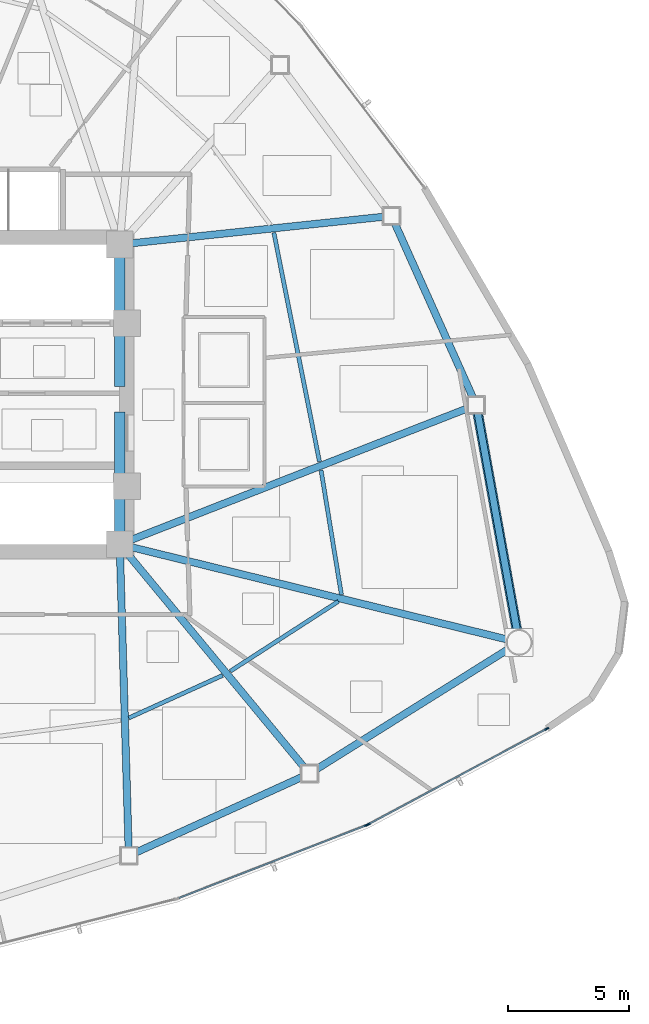
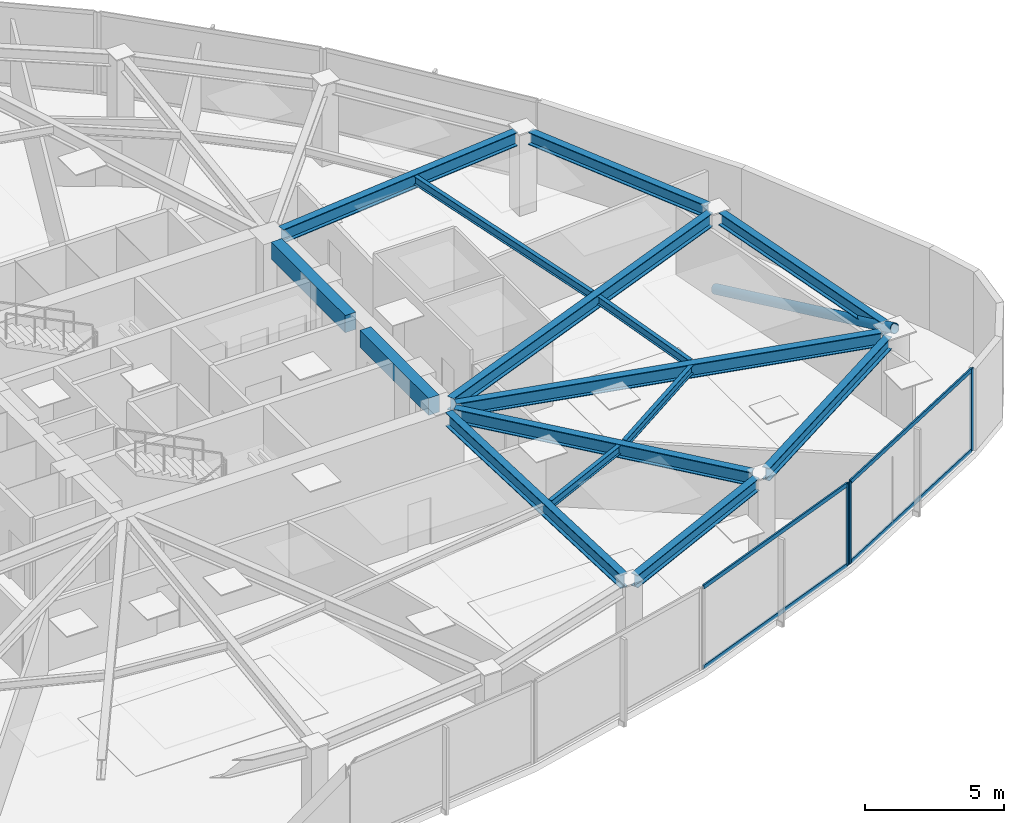
# One storey, part 6 of 17: 15 beams, 8 members, 2 elements without a shape of their own.
"""IFC4 building model written with IfcOpenShell, lengths in metres."""

import ifcopenshell
import ifcopenshell.guid

model = None  # the IFC model being written
_history = None  # IfcOwnerHistory: only IFC2X3 demands one
_inside = {}  # id of a spatial element -> (the spatial element, [elements in it])
_under = {}  # id of a project, library or spatial element -> (it, [spatial elements below it])
_declared = {}  # id of a project -> (the project, [libraries it declares])
_typed = {}  # id of a type object -> (the type object, [elements of that type])
_made_of = {}  # id of a material, layer set ... -> (it, [elements and type objects made of it])


def new_model(schema):
    """Start an empty IFC model of exactly this schema.

    Asked for "IFC4X3", IfcOpenShell would pick the latest addendum, in which some entities
    have other attributes; the version numbers below select the first issue.
    IFC2X3 requires an IfcOwnerHistory on every rooted entity: one is made here for all.
    """
    global model, _history
    if schema == "IFC4X3":
        model = ifcopenshell.file(schema_version=(4, 3, 0, 0))
    else:
        model = ifcopenshell.file(schema=schema)
    _inside.clear()
    _under.clear()
    _declared.clear()
    _typed.clear()
    _made_of.clear()
    _history = None
    if model.schema == "IFC2X3":
        org = make("IfcOrganization", Name="unknown")
        user = make(
            "IfcPersonAndOrganization",
            ThePerson=make("IfcPerson", FamilyName="unknown"),
            TheOrganization=org,
        )
        app = make(
            "IfcApplication",
            ApplicationDeveloper=org,
            Version="unknown",
            ApplicationFullName="unknown",
            ApplicationIdentifier="unknown",
        )
        _history = make(
            "IfcOwnerHistory",
            OwningUser=user,
            OwningApplication=app,
            ChangeAction="ADDED",
            CreationDate=0,
        )
    return model


def make(cls, **values):
    """One entity of the class cls with the attributes given. An attribute that is None is left unset."""
    return model.create_entity(
        cls, **{name: value for name, value in values.items() if value is not None}
    )


def rooted(cls, **values):
    """An entity with a GlobalId (a new one), such as an element, a storey or a relation."""
    return make(cls, GlobalId=ifcopenshell.guid.new(), OwnerHistory=_history, **values)


def si_unit(unit_type, name, prefix=None):
    """IfcSIUnit, for example si_unit("LENGTHUNIT", "METRE", prefix="MILLI")."""
    return make("IfcSIUnit", UnitType=unit_type, Prefix=prefix, Name=name)


def assignment(units):
    """IfcUnitAssignment: the units of a project."""
    return None if units is None else make("IfcUnitAssignment", Units=units)


def point(xyz):
    """IfcCartesianPoint."""
    return None if xyz is None else make("IfcCartesianPoint", Coordinates=xyz)


def direction(xyz):
    """IfcDirection."""
    return None if xyz is None else make("IfcDirection", DirectionRatios=xyz)


def frame(location, z_axis=None, x_axis=None):
    """IfcAxis2Placement3D, a coordinate frame: its origin and axes. An axis left out is left unset."""
    return make(
        "IfcAxis2Placement3D",
        Location=point(location),
        Axis=direction(z_axis),
        RefDirection=direction(x_axis),
    )


def frame_2d(location, x_axis=None):
    """IfcAxis2Placement2D, a coordinate frame in the plane: its origin and x axis."""
    return make(
        "IfcAxis2Placement2D", Location=point(location), RefDirection=direction(x_axis)
    )


def origin():
    """The frame at (0, 0, 0) with its axes left unset."""
    return frame((0.0, 0.0, 0.0))


def origin_2d():
    """The frame at (0, 0) in the plane with its x axis left unset."""
    return frame_2d((0.0, 0.0))


def place(relative_to, where):
    """IfcLocalPlacement: puts the frame where relative to a parent placement (None: the world)."""
    return make(
        "IfcLocalPlacement", PlacementRelTo=relative_to, RelativePlacement=where
    )


def context(
    kind, dimensions, precision=None, world=None, true_north=None, identifier=None
):
    """IfcGeometricRepresentationContext, for example the 3D "Model" context."""
    return make(
        "IfcGeometricRepresentationContext",
        ContextIdentifier=identifier,
        ContextType=kind,
        CoordinateSpaceDimension=dimensions,
        Precision=precision,
        WorldCoordinateSystem=world,
        TrueNorth=true_north,
    )


def subcontext(parent, identifier, kind, view, scale=None):
    """IfcGeometricRepresentationSubContext, for example "Body" below "Model"."""
    return make(
        "IfcGeometricRepresentationSubContext",
        ContextIdentifier=identifier,
        ContextType=kind,
        ParentContext=parent,
        TargetScale=scale,
        TargetView=view,
    )


def project(units=None, contexts=None):
    """IfcProject with its units and contexts."""
    return rooted(
        "IfcProject",
        Name="project",
        RepresentationContexts=contexts,
        UnitsInContext=assignment(units),
    )


def spatial(cls, under=None, at=None, **own):
    """A site, building, storey or space (cls), placed at a placement, below another one or the project."""
    s = rooted(cls, ObjectPlacement=at, **own)
    if under is not None:
        _under.setdefault(under.id(), (under, []))[1].append(s)
    return s


def profile(cls, at=None, kind="AREA", **sizes):
    """A parametric profile (cls). Its sizes go by their IFC names, for example OverallWidth=200.0."""
    return make(cls, ProfileType=kind, Position=at, **sizes)


def rectangle(**sizes):
    """IfcRectangleProfileDef."""
    return profile("IfcRectangleProfileDef", **sizes)


def hollow_rectangle(**sizes):
    """IfcRectangleHollowProfileDef."""
    return profile("IfcRectangleHollowProfileDef", **sizes)


def hollow_circle(**sizes):
    """IfcCircleHollowProfileDef."""
    return profile("IfcCircleHollowProfileDef", **sizes)


def i_section(**sizes):
    """IfcIShapeProfileDef."""
    return profile("IfcIShapeProfileDef", **sizes)


def extrude(swept, where, along, depth):
    """IfcExtrudedAreaSolid: the profile swept, set in the frame where, extruded along a direction by depth."""
    return make(
        "IfcExtrudedAreaSolid",
        SweptArea=swept,
        Position=where,
        ExtrudedDirection=direction(along),
        Depth=depth,
    )


def shape(context_of_items, identifier, shape_type, items):
    """IfcShapeRepresentation: the items that make up one representation, for example the "Body"."""
    return make(
        "IfcShapeRepresentation",
        ContextOfItems=context_of_items,
        RepresentationIdentifier=identifier,
        RepresentationType=shape_type,
        Items=items,
    )


def source(mapping_origin, context_of_items, identifier, shape_type, items):
    """IfcRepresentationMap: a shape defined once, which mapped items show again and again."""
    return make(
        "IfcRepresentationMap",
        MappingOrigin=mapping_origin,
        MappedRepresentation=shape(context_of_items, identifier, shape_type, items),
    )


def transform(
    local_origin,
    x_axis=None,
    y_axis=None,
    z_axis=None,
    scale=None,
    scale2=None,
    scale3=None,
    uniform=True,
):
    """IfcCartesianTransformationOperator3D, or its non-uniform kind. x_axis, y_axis, z_axis: its Axis1, 2, 3."""
    if uniform:
        return make(
            "IfcCartesianTransformationOperator3D",
            Axis1=direction(x_axis),
            Axis2=direction(y_axis),
            LocalOrigin=point(local_origin),
            Scale=scale,
            Axis3=direction(z_axis),
        )
    return make(
        "IfcCartesianTransformationOperator3DnonUniform",
        Axis1=direction(x_axis),
        Axis2=direction(y_axis),
        LocalOrigin=point(local_origin),
        Scale=scale,
        Axis3=direction(z_axis),
        Scale2=scale2,
        Scale3=scale3,
    )


def mapped(mapping_source, mapping_target):
    """IfcMappedItem: shows the shape of a source again, moved by a transform."""
    return make(
        "IfcMappedItem", MappingSource=mapping_source, MappingTarget=mapping_target
    )


def material(Name=None, Category=None):
    """IfcMaterial."""
    return make("IfcMaterial", Name=Name, Category=Category)


def layer(
    of_material, thickness, ventilated=None, Name=None, Category=None, Priority=None
):
    """IfcMaterialLayer: one layer of a wall or slab, of a material (None: an air gap)."""
    return make(
        "IfcMaterialLayer",
        Material=of_material,
        LayerThickness=thickness,
        IsVentilated=ventilated,
        Name=Name,
        Category=Category,
        Priority=Priority,
    )


def layer_set(layers, Name=None):
    """IfcMaterialLayerSet."""
    return make("IfcMaterialLayerSet", MaterialLayers=layers, LayerSetName=Name)


def material_profile(
    of_material, cross_section, Name=None, Category=None, Priority=None
):
    """IfcMaterialProfile: a cross section and its material."""
    return make(
        "IfcMaterialProfile",
        Name=Name,
        Material=of_material,
        Profile=cross_section,
        Priority=Priority,
        Category=Category,
    )


def profile_set(profiles, Name=None, composite=None):
    """IfcMaterialProfileSet."""
    return make(
        "IfcMaterialProfileSet",
        Name=Name,
        MaterialProfiles=profiles,
        CompositeProfile=composite,
    )


def made_of(thing, what):
    """Note that an element or type object is made of a material, layer set ...; save() writes the relation."""
    if what is not None:
        _made_of.setdefault(what.id(), (what, []))[1].append(thing)
    return thing


def type_object(cls, material=None, **own):
    """A type object (cls), such as IfcWallType, which elements share."""
    return made_of(rooted(cls, **own), material)


def type_shapes(of_type, sources):
    """Give a type object the sources (RepresentationMaps) that its elements show as mapped items."""
    of_type.RepresentationMaps = sources


def element(
    cls,
    number,
    at=None,
    inside=None,
    cuts=None,
    type_object=None,
    material=None,
    context=None,
    identifier="Body",
    shape_type=None,
    held_by="IfcProductDefinitionShape",
    body=None,
    shapes=None,
    **own,
):
    """One element of the class cls, such as IfcWall. Its Tag is "e" and its number.

    at: its placement. inside: the storey or other place that contains it. cuts: it is an
    opening in that element (IfcRelVoidsElement). A single representation is given by context,
    identifier, shape_type and body (its items); several are given by shapes. held_by: the class
    of the entity that holds the representations. save() writes the other relations.
    """
    e = rooted(cls, Tag="e%d" % number, ObjectPlacement=at, **own)
    if body is not None:
        shapes = [shape(context, identifier, shape_type, body)]
    if shapes is not None:
        e.Representation = make(held_by, Representations=shapes)
    if inside is not None:
        _inside.setdefault(inside.id(), (inside, []))[1].append(e)
    if cuts is not None:
        rooted(
            "IfcRelVoidsElement", RelatingBuildingElement=cuts, RelatedOpeningElement=e
        )
    if type_object is not None:
        _typed.setdefault(type_object.id(), (type_object, []))[1].append(e)
    return made_of(e, material)


def aggregate(whole, parts):
    """IfcRelAggregates: a whole, such as a stair, and the parts it consists of."""
    return rooted("IfcRelAggregates", RelatingObject=whole, RelatedObjects=parts)


def save(model, path):
    """Write the relations noted so far, then the file.

    IfcRelAggregates (storeys below a building ...), IfcRelContainedInSpatialStructure (elements
    in a storey), IfcRelDefinesByType, IfcRelAssociatesMaterial and IfcRelDeclares: one each for
    every whole, place, type object, material and project.
    """
    for whole, parts in _under.values():
        aggregate(whole, parts)
    for where, things in _inside.values():
        rooted(
            "IfcRelContainedInSpatialStructure",
            RelatedElements=things,
            RelatingStructure=where,
        )
    for kind, things in _typed.values():
        rooted("IfcRelDefinesByType", RelatedObjects=things, RelatingType=kind)
    for what, things in _made_of.values():
        rooted("IfcRelAssociatesMaterial", RelatedObjects=things, RelatingMaterial=what)
    for by, libraries in _declared.values():
        rooted("IfcRelDeclares", RelatingContext=by, RelatedDefinitions=libraries)
    model.write(path)


model = new_model("IFC4")

# Units and contexts
model_context = context("Model", 3, precision=1e-05, world=origin(), true_north=direction((0.0, 1.0)))
body_context = subcontext(model_context, "Body", "Model", "MODEL_VIEW")
ifc_project = project(units=[si_unit("LENGTHUNIT", "METRE"), si_unit("AREAUNIT", "SQUARE_METRE"), si_unit("VOLUMEUNIT", "CUBIC_METRE"), si_unit("PLANEANGLEUNIT", "RADIAN"), si_unit("MASSUNIT", "GRAM", prefix="KILO")], contexts=[model_context])

# Site, building, storey
site_placement = place(None, origin())
site = spatial("IfcSite", under=ifc_project, at=site_placement, CompositionType="ELEMENT")
building_placement = place(site_placement, origin())
building = spatial("IfcBuilding", under=site, at=building_placement, Name="Tavelor Broadcast Tower", CompositionType="ELEMENT")
storey_placement = place(building_placement, frame((0.0, 0.0, 70.5)))
storey = spatial("IfcBuildingStorey", under=building, at=storey_placement, Name="L16", CompositionType="ELEMENT", Elevation=70.5)

# Beams
ifc_material_1 = material(Name="Concrete C40/50", Category="concrete")
ifc_material_profile_1 = material_profile(ifc_material_1, rectangle(XDim=0.449951171875, YDim=0.75, at=origin_2d()), Name="RC 450x750")
ifc_profile_set_1 = profile_set([ifc_material_profile_1], Name="Concrete C40/50")
beam_type_1 = type_object("IfcBeamType", Name="Basement Core Trim Beam 450x750", PredefinedType="BEAM", material=ifc_profile_set_1)
beam_1_placement = place(storey_placement, frame((56.60009765625, 45.327880859375, 3.22509765625), z_axis=(0.0, 1.0, 0.0), x_axis=(-1.0, 0.0, 0.0)))
element("IfcBeam", 1, at=beam_1_placement, inside=storey, type_object=beam_type_1, Name="L16 Core East-N Tie Girder", PredefinedType="BEAM", context=body_context, shape_type="SweptSolid", body=[
    extrude(rectangle(XDim=0.449951171875, YDim=0.75, at=origin_2d()), origin(), (0.0, 0.0, 1.0), 5.34423828125),
])
beam_2_placement = place(storey_placement, frame((56.60009765625, 39.327880859375, 3.22509765625), z_axis=(0.0, 1.0, 0.0), x_axis=(-1.0, 0.0, 0.0)))
element("IfcBeam", 2, at=beam_2_placement, inside=storey, type_object=beam_type_1, Name="L16 Core East-S Tie Girder", PredefinedType="BEAM", context=body_context, shape_type="SweptSolid", body=[
    extrude(rectangle(XDim=0.449951171875, YDim=0.75, at=origin_2d()), origin(), (0.0, 0.0, 1.0), 4.944091796875),
])
ifc_material_2 = material(Name="Steel S355", Category="steel")
ifc_material_profile_2 = material_profile(ifc_material_2, i_section(OverallWidth=0.169921875, OverallDepth=0.360107421875, WebThickness=0.008056640625, FlangeThickness=0.0126953125, at=origin_2d()), Name="IPE 360")
ifc_profile_set_2 = profile_set([ifc_material_profile_2], Name="Steel S355")
beam_type_2 = type_object("IfcBeamType", Name="Composite Floor Joist T2 IPE 360", PredefinedType="JOIST", material=ifc_profile_set_2)
beam_3_placement = place(storey_placement, frame((56.976318359375, 31.61865234375, 3.419921875), z_axis=(0.910576347723, 0.413340918573, 0.0), x_axis=(-0.413340918573, 0.910576347723, 0.0)))
element("IfcBeam", 3, at=beam_3_placement, inside=storey, type_object=beam_type_2, Name="L16 Secondary Composite Floor Joist 11", PredefinedType="JOIST", context=body_context, shape_type="SweptSolid", body=[
    extrude(i_section(OverallWidth=0.169921875, OverallDepth=0.360107421875, WebThickness=0.008056640625, FlangeThickness=0.0126953125, at=origin_2d()), origin(), (0.0, 0.0, 1.0), 4.26025390625),
])
beam_4_placement = place(storey_placement, frame((61.172607421875, 33.552490234375, 3.419921875), z_axis=(0.839830816691, 0.542848228639, 0.0), x_axis=(-0.542848228639, 0.839830816691, 0.0)))
element("IfcBeam", 4, at=beam_4_placement, inside=storey, type_object=beam_type_2, Name="L16 Secondary Composite Floor Joist 12", PredefinedType="JOIST", context=body_context, shape_type="SweptSolid", body=[
    extrude(i_section(OverallWidth=0.169921875, OverallDepth=0.360107421875, WebThickness=0.008056640625, FlangeThickness=0.0126953125, at=origin_2d()), origin(), (0.0, 0.0, 1.0), 5.325439453125),
])
beam_5_placement = place(storey_placement, frame((65.767822265625, 36.72021484375, 3.419921875), z_axis=(-0.161277112784, 0.986909161419, 0.0), x_axis=(-0.986909161419, -0.161277112784, 0.0)))
element("IfcBeam", 5, at=beam_5_placement, inside=storey, type_object=beam_type_2, Name="L16 Secondary Composite Floor Joist 13", PredefinedType="JOIST", context=body_context, shape_type="SweptSolid", body=[
    extrude(i_section(OverallWidth=0.169921875, OverallDepth=0.360107421875, WebThickness=0.008056640625, FlangeThickness=0.0126953125, at=origin_2d()), origin(), (0.0, 0.0, 1.0), 5.213623046875),
])
beam_6_placement = place(storey_placement, frame((64.8623046875, 42.2216796875, 3.419921875), z_axis=(-0.195581157194, 0.980687519524, 0.0), x_axis=(-0.980687519524, -0.195581157194, 0.0)))
element("IfcBeam", 6, at=beam_6_placement, inside=storey, type_object=beam_type_2, Name="L16 Secondary Composite Floor Joist 14", PredefinedType="JOIST", context=body_context, shape_type="SweptSolid", body=[
    extrude(i_section(OverallWidth=0.169921875, OverallDepth=0.360107421875, WebThickness=0.008056640625, FlangeThickness=0.0126953125, at=origin_2d()), origin(), (0.0, 0.0, 1.0), 9.654296875),
])
ifc_material_profile_3 = material_profile(ifc_material_2, i_section(OverallWidth=0.300048828125, OverallDepth=0.550048828125, WebThickness=0.014892578125, FlangeThickness=0.029052734375, at=origin_2d()), Name="HEB 550")
ifc_profile_set_3 = profile_set([ifc_material_profile_3], Name="Steel S355")
beam_type_3 = type_object("IfcBeamType", Name="Perimeter Spandrel Beam T2 HEB 550", PredefinedType="SPANDREL", material=ifc_profile_set_3)
beam_7_placement = place(storey_placement, frame((57.28125, 26.060546875, 3.324951171875), z_axis=(0.910420869291, 0.413683261395, 0.0), x_axis=(-0.413683261395, 0.910420869291, 0.0)))
element("IfcBeam", 7, at=beam_7_placement, inside=storey, type_object=beam_type_3, Name="L16 Framed-Tube Ring Spandrel 11", PredefinedType="SPANDREL", context=body_context, shape_type="SweptSolid", body=[
    extrude(i_section(OverallWidth=0.300048828125, OverallDepth=0.550048828125, WebThickness=0.014892578125, FlangeThickness=0.029052734375, at=origin_2d()), origin(), (0.0, 0.0, 1.0), 7.531005859375),
])
beam_8_placement = place(storey_placement, frame((64.728271484375, 29.493408203125, 3.324951171875), z_axis=(0.847666386228, 0.530529638813, 0.0), x_axis=(-0.530529638813, 0.847666386228, 0.0)))
element("IfcBeam", 8, at=beam_8_placement, inside=storey, type_object=beam_type_3, Name="L16 Framed-Tube Ring Spandrel 12", PredefinedType="SPANDREL", context=body_context, shape_type="SweptSolid", body=[
    extrude(i_section(OverallWidth=0.300048828125, OverallDepth=0.550048828125, WebThickness=0.014892578125, FlangeThickness=0.029052734375, at=origin_2d()), origin(), (0.0, 0.0, 1.0), 9.385009765625),
])
beam_9_placement = place(storey_placement, frame((73.02685546875, 35.248046875, 3.324951171875), z_axis=(-0.177746542691, 0.984076301189, 0.0), x_axis=(-0.984076301189, -0.177746542691, 0.0)))
element("IfcBeam", 9, at=beam_9_placement, inside=storey, type_object=beam_type_3, Name="L16 Framed-Tube Ring Spandrel 13", PredefinedType="SPANDREL", context=body_context, shape_type="SweptSolid", body=[
    extrude(i_section(OverallWidth=0.300048828125, OverallDepth=0.550048828125, WebThickness=0.014892578125, FlangeThickness=0.029052734375, at=origin_2d()), origin(), (0.0, 0.0, 1.0), 9.13134765625),
])
beam_10_placement = place(storey_placement, frame((71.206787109375, 44.87109375, 3.324951171875), z_axis=(-0.408951132019, 0.912556284084, 0.0), x_axis=(-0.912556284084, -0.408951132019, 0.0)))
element("IfcBeam", 10, at=beam_10_placement, inside=storey, type_object=beam_type_3, Name="L16 Framed-Tube Ring Spandrel 14", PredefinedType="SPANDREL", context=body_context, shape_type="SweptSolid", body=[
    extrude(i_section(OverallWidth=0.300048828125, OverallDepth=0.550048828125, WebThickness=0.014892578125, FlangeThickness=0.029052734375, at=origin_2d()), origin(), (0.0, 0.0, 1.0), 7.895263671875),
])

# Member
ifc_material_profile_4 = material_profile(ifc_material_2, hollow_circle(Radius=0.203125, WallThickness=0.02001953125, at=origin_2d()), Name="CHS 406.4x20")
ifc_profile_set_4 = profile_set([ifc_material_profile_4], Name="Steel S355")
member_type_1 = type_object("IfcMemberType", Name="Perimeter Tube Brace T2 CHS 406.4x20", PredefinedType="BRACE", material=ifc_profile_set_4)
member_1_placement = place(storey_placement, frame((71.343994140625, 44.564697265625, 0.0), z_axis=(0.167205980675, -0.925685078259, 0.339336552578), x_axis=(0.984075144607, 0.177752945874, 0.0)))
element("IfcMember", 11, at=member_1_placement, inside=storey, type_object=member_type_1, Name="L16 Corner Tube Diagonal Brace 3", PredefinedType="BRACE", context=body_context, shape_type="SweptSolid", body=[
    extrude(hollow_circle(Radius=0.203125, WallThickness=0.02001953125, at=origin_2d()), origin(), (0.0, 0.0, 1.0), 10.609130859375),
])

# Beams
ifc_material_profile_5 = material_profile(ifc_material_2, i_section(OverallWidth=0.300048828125, OverallDepth=0.60009765625, WebThickness=0.015380859375, FlangeThickness=0.030029296875, at=origin_2d()), Name="HEB 600")
ifc_profile_set_5 = profile_set([ifc_material_profile_5], Name="Steel S355")
beam_type_4 = type_object("IfcBeamType", Name="Radial Floor Girder T2 HEB 600", PredefinedType="BEAM", material=ifc_profile_set_5)
beam_11_placement = place(storey_placement, frame((56.615478515625, 38.272216796875, 3.300048828125), z_axis=(0.029126279866, -0.999575739912, 0.0), x_axis=(0.999575739912, 0.029126279866, 0.0)))
element("IfcBeam", 12, at=beam_11_placement, inside=storey, type_object=beam_type_4, Name="L16 Radial Primary Floor Girder 11", PredefinedType="BEAM", context=body_context, shape_type="SweptSolid", body=[
    extrude(i_section(OverallWidth=0.300048828125, OverallDepth=0.60009765625, WebThickness=0.015380859375, FlangeThickness=0.030029296875, at=origin_2d()), origin(), (0.0, 0.0, 1.0), 12.02001953125),
])
beam_12_placement = place(storey_placement, frame((56.9365234375, 38.39306640625, 3.300048828125), z_axis=(0.637277760564, -0.770634190709, 0.0), x_axis=(0.770634190709, 0.637277760564, 0.0)))
element("IfcBeam", 13, at=beam_12_placement, inside=storey, type_object=beam_type_4, Name="L16 Radial Primary Floor Girder 12", PredefinedType="BEAM", context=body_context, shape_type="SweptSolid", body=[
    extrude(i_section(OverallWidth=0.300048828125, OverallDepth=0.60009765625, WebThickness=0.015380859375, FlangeThickness=0.030029296875, at=origin_2d()), origin(), (0.0, 0.0, 1.0), 11.44384765625),
])
beam_13_placement = place(storey_placement, frame((57.11279296875, 38.674072265625, 3.300048828125), z_axis=(0.971151145926, -0.238464780979, 0.0), x_axis=(0.238464780979, 0.971151145926, 0.0)))
element("IfcBeam", 14, at=beam_13_placement, inside=storey, type_object=beam_type_4, Name="L16 Radial Primary Floor Girder 13", PredefinedType="BEAM", context=body_context, shape_type="SweptSolid", body=[
    extrude(i_section(OverallWidth=0.300048828125, OverallDepth=0.60009765625, WebThickness=0.015380859375, FlangeThickness=0.030029296875, at=origin_2d()), origin(), (0.0, 0.0, 1.0), 15.96826171875),
])
beam_14_placement = place(storey_placement, frame((57.091796875, 38.9921875, 3.300048828125), z_axis=(0.931341899941, 0.36414593972, 0.0), x_axis=(-0.36414593972, 0.931341899941, 0.0)))
element("IfcBeam", 15, at=beam_14_placement, inside=storey, type_object=beam_type_4, Name="L16 Radial Primary Floor Girder 14", PredefinedType="BEAM", context=body_context, shape_type="SweptSolid", body=[
    extrude(i_section(OverallWidth=0.300048828125, OverallDepth=0.60009765625, WebThickness=0.015380859375, FlangeThickness=0.030029296875, at=origin_2d()), origin(), (0.0, 0.0, 1.0), 14.967041015625),
])
beam_15_placement = place(storey_placement, frame((57.125, 51.255126953125, 3.300048828125), z_axis=(0.994510577777, 0.104636086941, 0.0), x_axis=(-0.104636086941, 0.994510577777, 0.0)))
element("IfcBeam", 16, at=beam_15_placement, inside=storey, type_object=beam_type_4, Name="L16 Radial Primary Floor Girder 15", PredefinedType="BEAM", context=body_context, shape_type="SweptSolid", body=[
    extrude(i_section(OverallWidth=0.300048828125, OverallDepth=0.60009765625, WebThickness=0.015380859375, FlangeThickness=0.030029296875, at=origin_2d()), origin(), (0.0, 0.0, 1.0), 10.43896484375),
])

# Curtain wall, member
ifc_material_3 = material(Name="Architectural Anodized Aluminium", Category="aluminium")
ifc_layer = layer(ifc_material_3, 0.179931640625)
ifc_layer_set = layer_set([ifc_layer], Name="Architectural Anodized Aluminium")
curtain_wall_type = type_object("IfcCurtainWallType", Name="Tower Low-Zone Unitised Curtain Wall CW02", PredefinedType="NOTDEFINED", material=ifc_layer_set)
curtain_wall_1_placement = place(storey_placement, origin())
curtain_wall_1 = element("IfcCurtainWall", 17, at=curtain_wall_1_placement, inside=storey, type_object=curtain_wall_type, Name="L16 Curtain Wall CW02 Run 151", PredefinedType="NOTDEFINED")
ifc_material_profile_6 = material_profile(ifc_material_3, hollow_rectangle(XDim=0.06494140625, YDim=0.179931640625, WallThickness=0.02197265625, at=origin_2d()), Name="RHS 65x180x22")
ifc_profile_set_6 = profile_set([ifc_material_profile_6], Name="Architectural Anodized Aluminium")
member_type_2 = type_object("IfcMemberType", Name="CW02 Extruded Aluminium Mullion 65x180", PredefinedType="MULLION", material=ifc_profile_set_6)
shared_shape_1 = source(origin(), body_context, "Body", "SweptSolid", [
    extrude(hollow_rectangle(XDim=0.06494140625, YDim=0.179931640625, WallThickness=0.02197265625, at=origin_2d()), origin(), (0.0, 0.0, 1.0), 3.60009765625),
])
type_shapes(member_type_2, [shared_shape_1])
member_2_placement = place(storey_placement, frame((66.796142578125, 27.178955078125, 0.0), z_axis=(0.0, 0.0, 1.0), x_axis=(-0.362049564283, 0.93215884537, 0.0)))
member_2 = element("IfcMember", 18, at=member_2_placement, type_object=member_type_2, Name="CW02 mullion 2", PredefinedType="MULLION", context=body_context, shape_type="MappedRepresentation", body=[
    mapped(shared_shape_1, transform((0.0, 0.0, 0.0), scale=1.0)),
])

# Curtain wall, members
curtain_wall_2_placement = place(storey_placement, origin())
curtain_wall_2 = element("IfcCurtainWall", 19, at=curtain_wall_2_placement, inside=storey, type_object=curtain_wall_type, Name="L16 Curtain Wall CW02 Run 152", PredefinedType="NOTDEFINED")
member_3_placement = place(storey_placement, frame((66.88232421875, 27.218505859375, 0.0), z_axis=(0.0, 0.0, 1.0), x_axis=(-0.472181272826, 0.881501472258, 0.0)))
member_3 = element("IfcMember", 20, at=member_3_placement, type_object=member_type_2, Name="CW02 mullion 1", PredefinedType="MULLION", context=body_context, shape_type="MappedRepresentation", body=[
    mapped(shared_shape_1, transform((0.0, 0.0, 0.0), scale=1.0)),
])
member_4_placement = place(storey_placement, frame((74.260009765625, 31.17041015625, 0.0), z_axis=(0.0, 0.0, 1.0), x_axis=(-0.472181272826, 0.881501472258, 0.0)))
member_4 = element("IfcMember", 21, at=member_4_placement, type_object=member_type_2, Name="CW02 mullion 2", PredefinedType="MULLION", context=body_context, shape_type="MappedRepresentation", body=[
    mapped(shared_shape_1, transform((0.0, 0.0, 0.0), scale=1.0)),
])

# Member
ifc_material_profile_7 = material_profile(ifc_material_3, hollow_rectangle(XDim=0.06494140625, YDim=0.179931640625, WallThickness=0.02197265625, at=origin_2d()), Name="RHS 65x180x22")
ifc_profile_set_7 = profile_set([ifc_material_profile_7], Name="Architectural Anodized Aluminium")
member_type_3 = type_object("IfcMemberType", Name="CW02 Extruded Aluminium Transom 65x180", PredefinedType="USERDEFINED", material=ifc_profile_set_7)
shared_shape_2 = source(origin(), body_context, "Body", "SweptSolid", [
    extrude(hollow_rectangle(XDim=0.06494140625, YDim=0.179931640625, WallThickness=0.02197265625, at=origin_2d()), origin(), (0.0, 0.0, 1.0), 8.28857421875),
])
member_5_placement = place(storey_placement, frame((59.03955078125, 24.166259765625, 0.032470703125), z_axis=(0.932155497164, 0.362058184698, 0.0), x_axis=(-0.362058184698, 0.932155497164, 0.0)))
member_5 = element("IfcMember", 22, at=member_5_placement, type_object=member_type_3, Name="CW02 transom 1.1", ObjectType="TRANSOM", PredefinedType="USERDEFINED", context=body_context, shape_type="MappedRepresentation", body=[
    mapped(shared_shape_2, transform((0.0, 0.0, 0.0), scale=1.0)),
])

member_6_placement = place(storey_placement, frame((59.03955078125, 24.166259765625, 3.5673828125), z_axis=(0.932155497164, 0.362058184698, 0.0), x_axis=(-0.362058184698, 0.932155497164, 0.0)))
member_6 = element("IfcMember", 23, at=member_6_placement, type_object=member_type_3, Name="CW02 transom 1.2", ObjectType="TRANSOM", PredefinedType="USERDEFINED", context=body_context, shape_type="MappedRepresentation", body=[
    mapped(shared_shape_2, transform((0.0, 0.0, 0.0), scale=1.0)),
])

aggregate(curtain_wall_1, [member_2, member_5, member_6])

shared_shape_3 = source(origin(), body_context, "Body", "SweptSolid", [
    extrude(hollow_rectangle(XDim=0.06494140625, YDim=0.179931640625, WallThickness=0.02197265625, at=origin_2d()), origin(), (0.0, 0.0, 1.0), 8.3046875),
])
type_shapes(member_type_3, [shared_shape_2, shared_shape_3])
member_7_placement = place(storey_placement, frame((66.910888671875, 27.23388671875, 0.032470703125), z_axis=(0.88150925013, 0.472166752254, 0.0), x_axis=(-0.472166752254, 0.88150925013, 0.0)))
member_7 = element("IfcMember", 24, at=member_7_placement, type_object=member_type_3, Name="CW02 transom 1.1", ObjectType="TRANSOM", PredefinedType="USERDEFINED", context=body_context, shape_type="MappedRepresentation", body=[
    mapped(shared_shape_3, transform((0.0, 0.0, 0.0), scale=1.0)),
])

member_8_placement = place(storey_placement, frame((66.910888671875, 27.23388671875, 3.5673828125), z_axis=(0.88150925013, 0.472166752254, 0.0), x_axis=(-0.472166752254, 0.88150925013, 0.0)))
member_8 = element("IfcMember", 25, at=member_8_placement, type_object=member_type_3, Name="CW02 transom 1.2", ObjectType="TRANSOM", PredefinedType="USERDEFINED", context=body_context, shape_type="MappedRepresentation", body=[
    mapped(shared_shape_3, transform((0.0, 0.0, 0.0), scale=1.0)),
])

aggregate(curtain_wall_2, [member_3, member_4, member_7, member_8])

save(model, "model.ifc")
